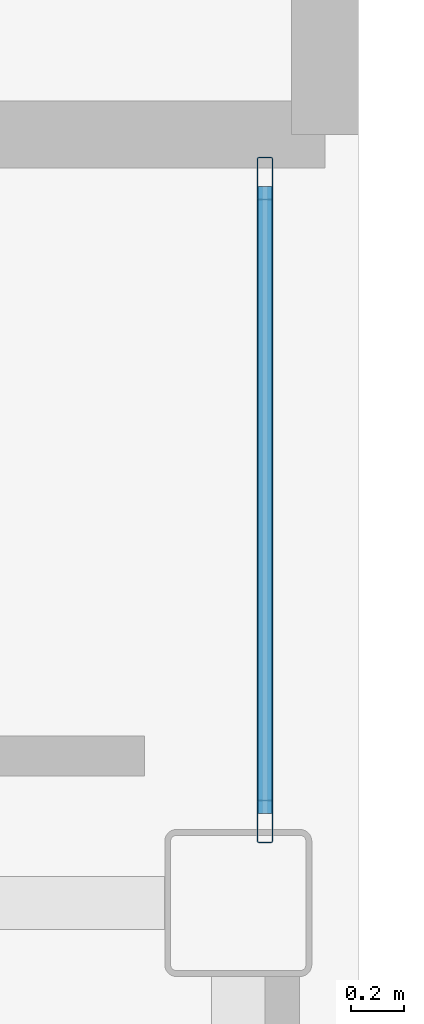
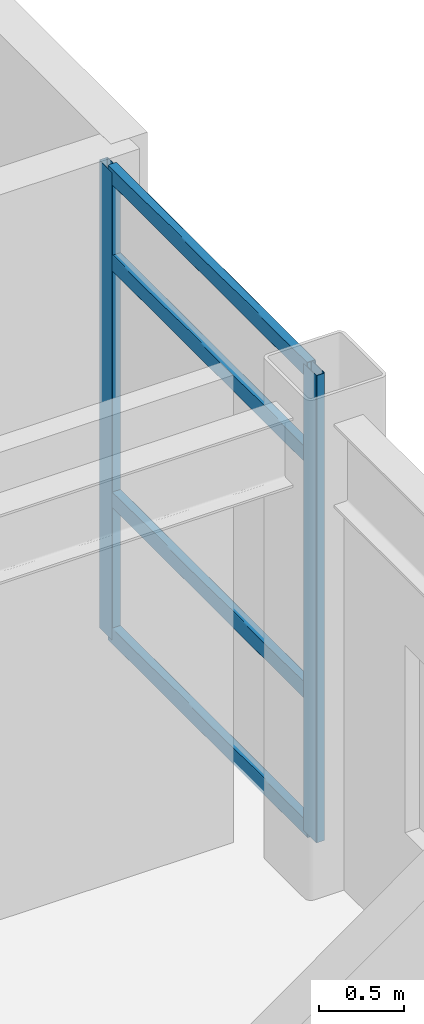
# One storey, part 10 of 38: 6 members, 1 element without a shape of its own.
"""IFC4 building model written with IfcOpenShell, lengths in metres."""

from ifc_helpers import new_model, si_unit, direction, frame, origin, origin_2d, place, context, subcontext, project, spatial, hollow_rectangle, extrude, material, layer, layer_set, material_profile, profile_set, type_object, element, aggregate, save


model = new_model("IFC4")

# Units and contexts
model_context = context("Model", 3, precision=1e-05, world=origin(), true_north=direction((0.0, 1.0)))
body_context = subcontext(model_context, "Body", "Model", "MODEL_VIEW")
ifc_project = project(units=[si_unit("LENGTHUNIT", "METRE"), si_unit("AREAUNIT", "SQUARE_METRE"), si_unit("VOLUMEUNIT", "CUBIC_METRE"), si_unit("PLANEANGLEUNIT", "RADIAN"), si_unit("MASSUNIT", "GRAM", prefix="KILO")], contexts=[model_context])

# Site, building, storey
site_placement = place(None, origin())
site = spatial("IfcSite", under=ifc_project, at=site_placement, CompositionType="ELEMENT")
building_placement = place(site_placement, origin())
building = spatial("IfcBuilding", under=site, at=building_placement, Name="Kazehara Bluff Congress Hotel", CompositionType="ELEMENT")
storey_placement = place(building_placement, frame((0.0, 0.0, 24.60009765625)))
storey = spatial("IfcBuildingStorey", under=building, at=storey_placement, Name="L05", CompositionType="ELEMENT", Elevation=24.60009765625)

# Curtain wall, members
ifc_material_1 = material(Name="Anodised aluminium", Category="aluminium")
ifc_layer = layer(ifc_material_1, 0.159912109375)
ifc_layer_set = layer_set([ifc_layer], Name="Anodised aluminium")
curtain_wall_type = type_object("IfcCurtainWallType", Name="TP-CW-174", PredefinedType="NOTDEFINED", material=ifc_layer_set)
curtain_wall_placement = place(storey_placement, origin())
curtain_wall = element("IfcCurtainWall", 1, at=curtain_wall_placement, inside=storey, type_object=curtain_wall_type, Name="L05 curtain wall CW-174 CW-ENC-V5-L05-16765-1751", PredefinedType="NOTDEFINED")
ifc_material_2 = material(Name="Anodised aluminium", Category="aluminium")
ifc_material_profile_1 = material_profile(ifc_material_2, hollow_rectangle(XDim=0.06005859375, YDim=0.159912109375, WallThickness=0.00390625, InnerFilletRadius=0.00390625, OuterFilletRadius=0.008056640625, at=origin_2d()))
ifc_profile_set_1 = profile_set([ifc_material_profile_1], Name="Anodised aluminium")
member_type_1 = type_object("IfcMemberType", Name="TP-CWM-01", PredefinedType="MULLION", material=ifc_profile_set_1)
member_1_placement = place(storey_placement, frame((167.64990234375, 18.7099609375, 0.0), z_axis=(0.0, 0.0, 1.0), x_axis=(1.0, 0.0, 0.0)))
member_1 = element("IfcMember", 2, at=member_1_placement, type_object=member_type_1, Name="CW-174 mullion 1", PredefinedType="MULLION", context=body_context, shape_type="SweptSolid", body=[
    extrude(hollow_rectangle(XDim=0.06005859375, YDim=0.159912109375, WallThickness=0.00390625, InnerFilletRadius=0.00390625, OuterFilletRadius=0.008056640625, at=origin_2d()), origin(), (0.0, 0.0, 1.0), 3.364990234375),
])
member_2_placement = place(storey_placement, frame((167.64990234375, 16.304931640625, 0.0), z_axis=(0.0, 0.0, 1.0), x_axis=(1.0, 0.0, 0.0)))
member_2 = element("IfcMember", 3, at=member_2_placement, type_object=member_type_1, Name="CW-174 mullion 2", PredefinedType="MULLION", context=body_context, shape_type="SweptSolid", body=[
    extrude(hollow_rectangle(XDim=0.06005859375, YDim=0.159912109375, WallThickness=0.00390625, InnerFilletRadius=0.00390625, OuterFilletRadius=0.008056640625, at=origin_2d()), origin(), (0.0, 0.0, 1.0), 3.364990234375),
])
ifc_material_3 = material(Name="Anodised aluminium", Category="aluminium")
ifc_material_profile_2 = material_profile(ifc_material_3, hollow_rectangle(XDim=0.06005859375, YDim=0.1201171875, WallThickness=0.00390625, InnerFilletRadius=0.00390625, OuterFilletRadius=0.008056640625, at=origin_2d()))
ifc_profile_set_2 = profile_set([ifc_material_profile_2], Name="Anodised aluminium")
member_type_2 = type_object("IfcMemberType", Name="TP-CWT-01", PredefinedType="USERDEFINED", material=ifc_profile_set_2)
member_3_placement = place(storey_placement, frame((167.64990234375, 18.679931640625, 0.02978515625), z_axis=(0.0, -1.0, 0.0), x_axis=(1.0, 0.0, 0.0)))
member_3 = element("IfcMember", 4, at=member_3_placement, type_object=member_type_2, Name="CW-174 transom 1.1", ObjectType="TRANSOM", PredefinedType="USERDEFINED", context=body_context, shape_type="SweptSolid", body=[
    extrude(hollow_rectangle(XDim=0.06005859375, YDim=0.1201171875, WallThickness=0.00390625, InnerFilletRadius=0.00390625, OuterFilletRadius=0.008056640625, at=origin_2d()), origin(), (0.0, 0.0, 1.0), 2.344970703125),
])
member_4_placement = place(storey_placement, frame((167.64990234375, 18.679931640625, 1.010009765625), z_axis=(0.0, -1.0, 0.0), x_axis=(1.0, 0.0, 0.0)))
member_4 = element("IfcMember", 5, at=member_4_placement, type_object=member_type_2, Name="CW-174 transom 1.2", ObjectType="TRANSOM", PredefinedType="USERDEFINED", context=body_context, shape_type="SweptSolid", body=[
    extrude(hollow_rectangle(XDim=0.06005859375, YDim=0.1201171875, WallThickness=0.00390625, InnerFilletRadius=0.00390625, OuterFilletRadius=0.008056640625, at=origin_2d()), origin(), (0.0, 0.0, 1.0), 2.344970703125),
])
member_5_placement = place(storey_placement, frame((167.64990234375, 18.679931640625, 2.71484375), z_axis=(0.0, -1.0, 0.0), x_axis=(1.0, 0.0, 0.0)))
member_5 = element("IfcMember", 6, at=member_5_placement, type_object=member_type_2, Name="CW-174 transom 1.3", ObjectType="TRANSOM", PredefinedType="USERDEFINED", context=body_context, shape_type="SweptSolid", body=[
    extrude(hollow_rectangle(XDim=0.06005859375, YDim=0.1201171875, WallThickness=0.00390625, InnerFilletRadius=0.00390625, OuterFilletRadius=0.008056640625, at=origin_2d()), origin(), (0.0, 0.0, 1.0), 2.344970703125),
])
member_6_placement = place(storey_placement, frame((167.64990234375, 18.679931640625, 3.3349609375), z_axis=(0.0, -1.0, 0.0), x_axis=(1.0, 0.0, 0.0)))
member_6 = element("IfcMember", 7, at=member_6_placement, type_object=member_type_2, Name="CW-174 transom 1.4", ObjectType="TRANSOM", PredefinedType="USERDEFINED", context=body_context, shape_type="SweptSolid", body=[
    extrude(hollow_rectangle(XDim=0.06005859375, YDim=0.1201171875, WallThickness=0.00390625, InnerFilletRadius=0.00390625, OuterFilletRadius=0.008056640625, at=origin_2d()), origin(), (0.0, 0.0, 1.0), 2.344970703125),
])
aggregate(curtain_wall, [member_1, member_2, member_3, member_4, member_5, member_6])

save(model, "model.ifc")
